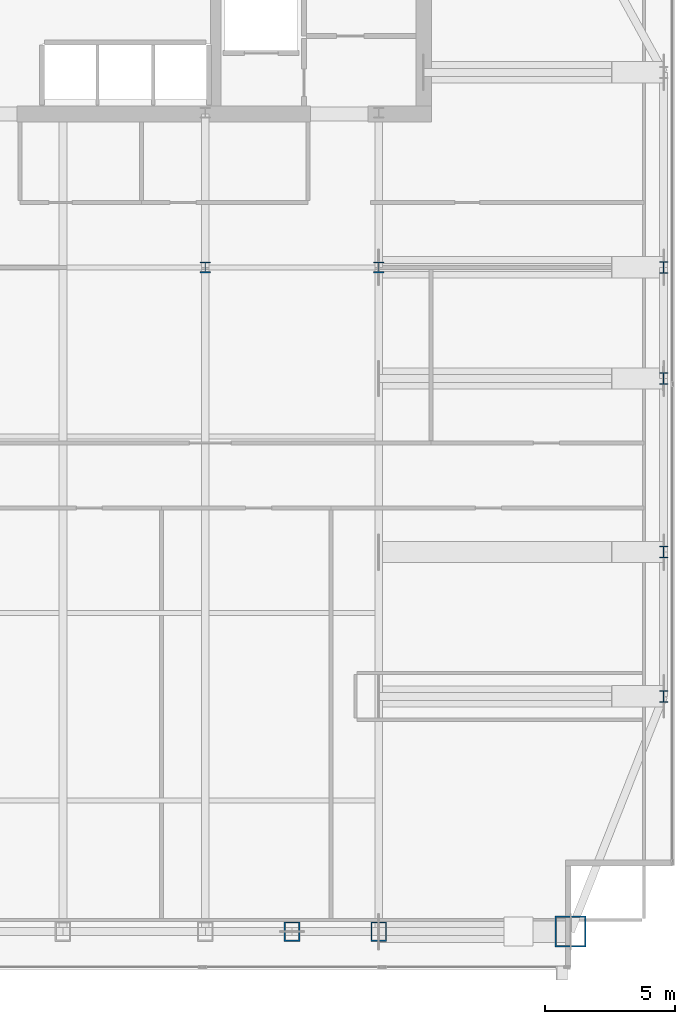
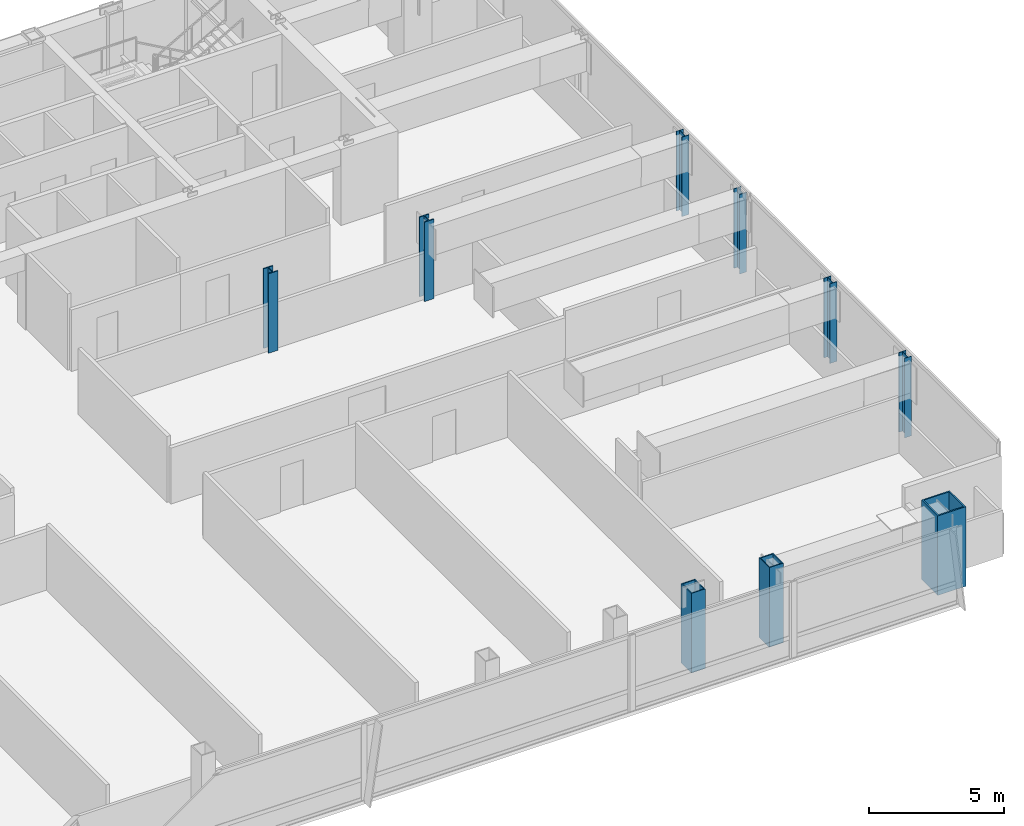
# One storey, part 2 of 26: 9 columns.
"""IFC4 building model written with IfcOpenShell, lengths in metres."""

from ifc_helpers import new_model, si_unit, direction, frame, origin, origin_2d, place, context, subcontext, project, spatial, hollow_rectangle, i_section, extrude, material, material_profile, profile_set, type_object, element, save


model = new_model("IFC4")

# Units and contexts
model_context = context("Model", 3, precision=1e-05, world=origin(), true_north=direction((0.0, 1.0)))
body_context = subcontext(model_context, "Body", "Model", "MODEL_VIEW")
ifc_project = project(units=[si_unit("LENGTHUNIT", "METRE"), si_unit("AREAUNIT", "SQUARE_METRE"), si_unit("VOLUMEUNIT", "CUBIC_METRE"), si_unit("PLANEANGLEUNIT", "RADIAN"), si_unit("MASSUNIT", "GRAM", prefix="KILO")], contexts=[model_context])

# Site, building, storey
site_placement = place(None, origin())
site = spatial("IfcSite", under=ifc_project, at=site_placement, CompositionType="ELEMENT")
building_placement = place(site_placement, origin())
building = spatial("IfcBuilding", under=site, at=building_placement, Name="Khoronbel Lancet Exchange", CompositionType="ELEMENT")
storey_placement = place(building_placement, frame((0.0, 0.0, 235.39990234375)))
storey = spatial("IfcBuildingStorey", under=building, at=storey_placement, Name="L60", CompositionType="ELEMENT", Elevation=235.39990234375)

# Columns
ifc_material_1 = material(Name="Steel S460", Category="steel")
ifc_material_profile_1 = material_profile(ifc_material_1, hollow_rectangle(XDim=0.60009765625, YDim=0.75, WallThickness=0.044921875, at=origin_2d()), Name="BOX 750x600x45")
ifc_profile_set_1 = profile_set([ifc_material_profile_1], Name="Steel S460")
column_type_1 = type_object("IfcColumnType", Name="COL-EC3", PredefinedType="COLUMN", material=ifc_profile_set_1)
for number, where, z_axis, x_axis, name in (
    (1, (51.33740234375, 10.14990234375, 0.0), (0.0, 0.0, 1.0), (1.0, 0.0, 0.0), "Structural column SC-EM L60"),
    (2, (54.675048828125, 10.14990234375, 0.0), (0.0, 0.0, 1.0), (1.0, 0.0, 0.0), "Structural column SC-E2 L60"),
):
    element("IfcColumn", number, at=place(storey_placement, frame(where, z_axis=z_axis, x_axis=x_axis)), inside=storey, type_object=column_type_1, Name=name, PredefinedType="COLUMN", context=body_context, shape_type="SweptSolid", body=[
        extrude(hollow_rectangle(XDim=0.60009765625, YDim=0.75, WallThickness=0.044921875, at=origin_2d()), origin(), (0.0, 0.0, 1.0), 3.60009765625),
    ])
ifc_material_2 = material(Name="Steel S355", Category="steel")
ifc_material_profile_2 = material_profile(ifc_material_2, i_section(OverallWidth=0.406005859375, OverallDepth=0.416015625, WebThickness=0.02978515625, FlangeThickness=0.048095703125, at=origin_2d()), Name="HD 400x382")
ifc_profile_set_2 = profile_set([ifc_material_profile_2], Name="Steel S355")
column_type_2 = type_object("IfcColumnType", Name="COL-IC3", PredefinedType="COLUMN", material=ifc_profile_set_2)
for number, where, z_axis, x_axis, name in (
    (3, (48.0, 35.699951171875, 0.0), (0.0, 0.0, 1.0), (1.0, 0.0, 0.0), "Spine gravity column TC3 L60"),
    (4, (54.675048828125, 35.699951171875, 0.0), (0.0, 0.0, 1.0), (1.0, 0.0, 0.0), "Spine gravity column TC4 L60"),
):
    element("IfcColumn", number, at=place(storey_placement, frame(where, z_axis=z_axis, x_axis=x_axis)), inside=storey, type_object=column_type_2, Name=name, PredefinedType="COLUMN", context=body_context, shape_type="SweptSolid", body=[
        extrude(i_section(OverallWidth=0.406005859375, OverallDepth=0.416015625, WebThickness=0.02978515625, FlangeThickness=0.048095703125, at=origin_2d()), origin(), (0.0, 0.0, 1.0), 3.60009765625),
    ])
ifc_material_profile_3 = material_profile(ifc_material_2, i_section(OverallWidth=0.300048828125, OverallDepth=0.449951171875, WebThickness=0.013916015625, FlangeThickness=0.02587890625, at=origin_2d()), Name="HEB 450")
ifc_profile_set_3 = profile_set([ifc_material_profile_3], Name="Steel S355")
column_type_3 = type_object("IfcColumnType", Name="COL-LC2", PredefinedType="COLUMN", material=ifc_profile_set_3)
for number, where, z_axis, x_axis, name in (
    (5, (65.6298828125, 19.199951171875, 0.0), (0.0, 0.0, 1.0), (1.0, 0.0, 0.0), "Structural column EC-1 L60"),
    (6, (65.6298828125, 24.75, 0.0), (0.0, 0.0, 1.0), (1.0, 0.0, 0.0), "Structural column EC-2 L60"),
    (7, (65.6298828125, 31.425048828125, 0.0), (0.0, 0.0, 1.0), (1.0, 0.0, 0.0), "Structural column EC-M L60"),
    (8, (65.6298828125, 35.699951171875, 0.0), (0.0, 0.0, 1.0), (1.0, 0.0, 0.0), "Structural column EC-3 L60"),
):
    element("IfcColumn", number, at=place(storey_placement, frame(where, z_axis=z_axis, x_axis=x_axis)), inside=storey, type_object=column_type_3, Name=name, PredefinedType="COLUMN", context=body_context, shape_type="SweptSolid", body=[
        extrude(i_section(OverallWidth=0.300048828125, OverallDepth=0.449951171875, WebThickness=0.013916015625, FlangeThickness=0.02587890625, at=origin_2d()), origin(), (0.0, 0.0, 1.0), 3.60009765625),
    ])
ifc_material_profile_4 = material_profile(ifc_material_1, hollow_rectangle(XDim=1.199951171875, YDim=1.199951171875, WallThickness=0.06005859375, at=origin_2d()), Name="BOX 1200x1200x60")
ifc_profile_set_4 = profile_set([ifc_material_profile_4], Name="Steel S460")
column_type_4 = type_object("IfcColumnType", Name="COL-MC5", PredefinedType="COLUMN", material=ifc_profile_set_4)
column_placement = place(storey_placement, frame((62.050048828125, 10.14990234375, 0.0), z_axis=(0.0, 0.0, 1.0), x_axis=(1.0, 0.0, 0.0)))
element("IfcColumn", 9, at=column_placement, inside=storey, type_object=column_type_4, Name="Structural column MC-SE L60", PredefinedType="COLUMN", context=body_context, shape_type="SweptSolid", body=[
    extrude(hollow_rectangle(XDim=1.199951171875, YDim=1.199951171875, WallThickness=0.06005859375, at=origin_2d()), origin(), (0.0, 0.0, 1.0), 3.60009765625),
])

save(model, "model.ifc")
